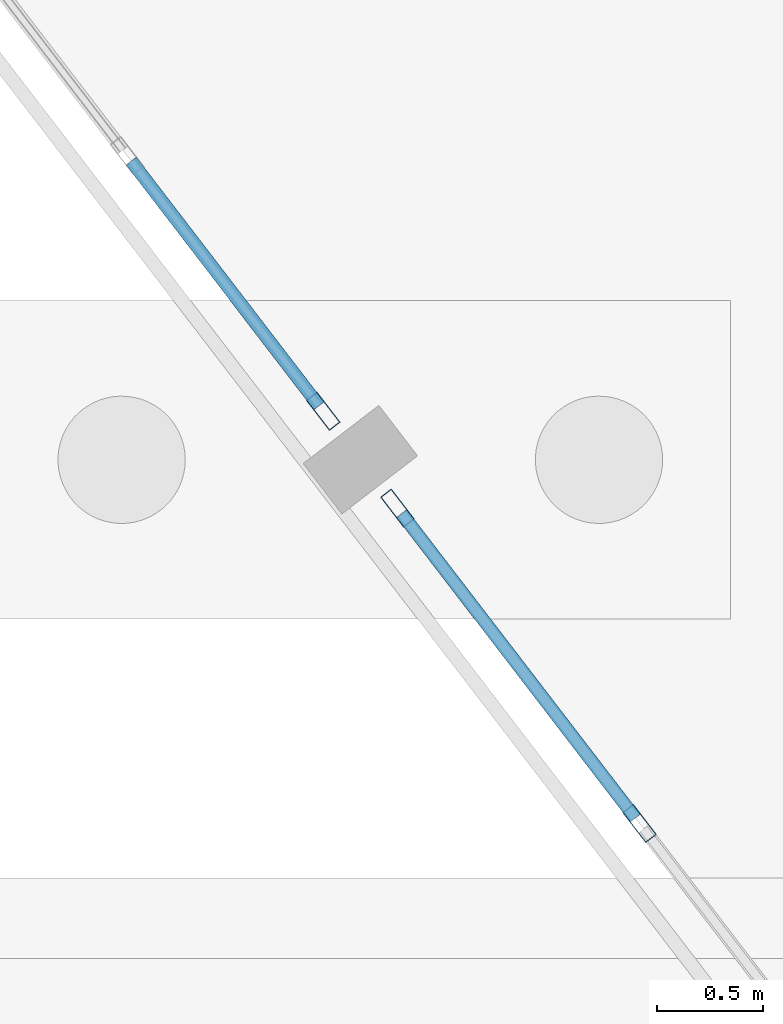
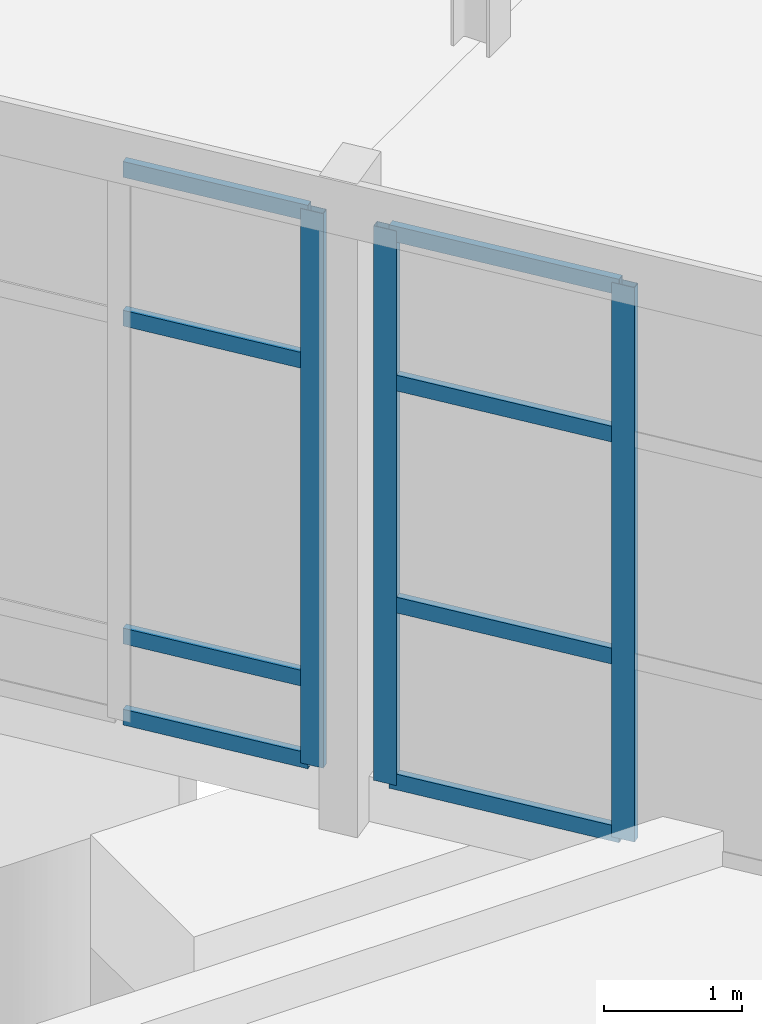
# One storey, part 37 of 137: 11 members, 2 elements without a shape of their own.
"""IFC4 building model written with IfcOpenShell, lengths in metres."""

from ifc_helpers import new_model, si_unit, direction, frame, origin, origin_2d, place, context, subcontext, project, spatial, hollow_rectangle, extrude, material, material_profile, profile_set, type_object, element, aggregate, save


model = new_model("IFC4")

# Units and contexts
model_context = context("Model", 3, precision=1e-05, world=origin(), true_north=direction((0.0, 1.0)))
body_context = subcontext(model_context, "Body", "Model", "MODEL_VIEW")
ifc_project = project(units=[si_unit("LENGTHUNIT", "METRE"), si_unit("AREAUNIT", "SQUARE_METRE"), si_unit("VOLUMEUNIT", "CUBIC_METRE"), si_unit("PLANEANGLEUNIT", "RADIAN"), si_unit("MASSUNIT", "GRAM", prefix="KILO")], contexts=[model_context])

# Site, building, storey
site_placement = place(None, origin())
site = spatial("IfcSite", under=ifc_project, at=site_placement, CompositionType="ELEMENT")
building_placement = place(site_placement, origin())
building = spatial("IfcBuilding", under=site, at=building_placement, Name="Vondelvale Polytechnic", CompositionType="ELEMENT")
storey_placement = place(building_placement, origin())
storey = spatial("IfcBuildingStorey", under=building, at=storey_placement, Name="L00", CompositionType="ELEMENT", Elevation=0.0)

# Curtain wall, member
ifc_material_1 = material(Name="Glulam GL18 structural Tasmanian oak (fb = 42 MPa)", Category="wood")
curtain_wall_type = type_object("IfcCurtainWallType", Name="CW-RING-OUTER", PredefinedType="NOTDEFINED", material=ifc_material_1)
curtain_wall_1_placement = place(storey_placement, origin())
curtain_wall_1 = element("IfcCurtainWall", 1, at=curtain_wall_1_placement, inside=storey, type_object=curtain_wall_type, Name="L00 architectural curtain wall CW-04-295", PredefinedType="NOTDEFINED")
ifc_material_2 = material(Name="Anodised extruded aluminium 6063-T6", Category="aluminium")
ifc_material_profile_1 = material_profile(ifc_material_2, hollow_rectangle(XDim=0.06494140625, YDim=0.179931640625, WallThickness=0.00390625, at=origin_2d()), Name="CW-MUL-180x65")
ifc_profile_set_1 = profile_set([ifc_material_profile_1], Name="Anodised extruded aluminium 6063-T6")
member_type_1 = type_object("IfcMemberType", Name="CW-MUL-65x180", PredefinedType="MULLION", material=ifc_profile_set_1)
member_1_placement = place(storey_placement, frame((64.3271484375, 46.179443359375, 0.0), z_axis=(0.0, 0.0, 1.0), x_axis=(0.793351666305, 0.608763610584, 0.0)))
member_1 = element("IfcMember", 2, at=member_1_placement, type_object=member_type_1, Name="CW-04-295 mullion 3", PredefinedType="MULLION", context=body_context, shape_type="SweptSolid", body=[
    extrude(hollow_rectangle(XDim=0.06494140625, YDim=0.179931640625, WallThickness=0.00390625, at=origin_2d()), origin(), (0.0, 0.0, 1.0), 4.919921875),
])

# Curtain wall, members
curtain_wall_2_placement = place(storey_placement, origin())
curtain_wall_2 = element("IfcCurtainWall", 3, at=curtain_wall_2_placement, inside=storey, type_object=curtain_wall_type, Name="L00 architectural curtain wall CW-04-296", PredefinedType="NOTDEFINED")
member_2_placement = place(storey_placement, frame((64.677001953125, 45.723388671875, 0.0), z_axis=(0.0, 0.0, 1.0), x_axis=(0.793345851043, 0.608771189063, 0.0)))
member_2 = element("IfcMember", 4, at=member_2_placement, type_object=member_type_1, Name="CW-04-296 mullion 1", PredefinedType="MULLION", context=body_context, shape_type="SweptSolid", body=[
    extrude(hollow_rectangle(XDim=0.06494140625, YDim=0.179931640625, WallThickness=0.00390625, at=origin_2d()), origin(), (0.0, 0.0, 1.0), 4.919921875),
])
member_3_placement = place(storey_placement, frame((65.81787109375, 44.236572265625, 0.0), z_axis=(0.0, 0.0, 1.0), x_axis=(0.793345851043, 0.608771189063, 0.0)))
member_3 = element("IfcMember", 5, at=member_3_placement, type_object=member_type_1, Name="CW-04-296 mullion 2", PredefinedType="MULLION", context=body_context, shape_type="SweptSolid", body=[
    extrude(hollow_rectangle(XDim=0.06494140625, YDim=0.179931640625, WallThickness=0.00390625, at=origin_2d()), origin(), (0.0, 0.0, 1.0), 4.919921875),
])

# Member
ifc_material_profile_2 = material_profile(ifc_material_2, hollow_rectangle(XDim=0.06005859375, YDim=0.139892578125, WallThickness=0.00341796875, at=origin_2d()), Name="CW-TRN-140x60")
ifc_profile_set_2 = profile_set([ifc_material_profile_2], Name="Anodised extruded aluminium 6063-T6")
member_type_2 = type_object("IfcMemberType", Name="CW-TRN-60x140", PredefinedType="USERDEFINED", material=ifc_profile_set_2)
member_4_placement = place(storey_placement, frame((63.421875, 47.359130859375, 0.030029296875), z_axis=(0.608826155387, -0.793303669799, 0.0), x_axis=(0.793303669799, 0.608826155387, 0.0)))
member_4 = element("IfcMember", 6, at=member_4_placement, type_object=member_type_2, Name="CW-04-295 transom 2.1", ObjectType="TRANSOM", PredefinedType="USERDEFINED", context=body_context, shape_type="SweptSolid", body=[
    extrude(hollow_rectangle(XDim=0.06005859375, YDim=0.139892578125, WallThickness=0.00341796875, at=origin_2d()), origin(), (0.0, 0.0, 1.0), 1.454345703125),
])

member_5_placement = place(storey_placement, frame((63.421875, 47.359130859375, 0.75), z_axis=(0.608826155387, -0.793303669799, 0.0), x_axis=(0.793303669799, 0.608826155387, 0.0)))
member_5 = element("IfcMember", 7, at=member_5_placement, type_object=member_type_2, Name="CW-04-295 transom 2.2", ObjectType="TRANSOM", PredefinedType="USERDEFINED", context=body_context, shape_type="SweptSolid", body=[
    extrude(hollow_rectangle(XDim=0.06005859375, YDim=0.139892578125, WallThickness=0.00341796875, at=origin_2d()), origin(), (0.0, 0.0, 1.0), 1.454345703125),
])

member_6_placement = place(storey_placement, frame((63.421875, 47.359130859375, 3.570068359375), z_axis=(0.608826155387, -0.793303669799, 0.0), x_axis=(0.793303669799, 0.608826155387, 0.0)))
member_6 = element("IfcMember", 8, at=member_6_placement, type_object=member_type_2, Name="CW-04-295 transom 2.3", ObjectType="TRANSOM", PredefinedType="USERDEFINED", context=body_context, shape_type="SweptSolid", body=[
    extrude(hollow_rectangle(XDim=0.06005859375, YDim=0.139892578125, WallThickness=0.00341796875, at=origin_2d()), origin(), (0.0, 0.0, 1.0), 1.454345703125),
])

member_7_placement = place(storey_placement, frame((63.421875, 47.359130859375, 4.889892578125), z_axis=(0.608826155387, -0.793303669799, 0.0), x_axis=(0.793303669799, 0.608826155387, 0.0)))
member_7 = element("IfcMember", 9, at=member_7_placement, type_object=member_type_2, Name="CW-04-295 transom 2.4", ObjectType="TRANSOM", PredefinedType="USERDEFINED", context=body_context, shape_type="SweptSolid", body=[
    extrude(hollow_rectangle(XDim=0.06005859375, YDim=0.139892578125, WallThickness=0.00341796875, at=origin_2d()), origin(), (0.0, 0.0, 1.0), 1.454345703125),
])

aggregate(curtain_wall_1, [member_1, member_4, member_5, member_6, member_7])

member_8_placement = place(storey_placement, frame((64.69677734375, 45.697509765625, 0.030029296875), z_axis=(0.608816809849, -0.793310842007, 0.0), x_axis=(0.793310842007, 0.608816809849, 0.0)))
member_8 = element("IfcMember", 10, at=member_8_placement, type_object=member_type_2, Name="CW-04-296 transom 1.1", ObjectType="TRANSOM", PredefinedType="USERDEFINED", context=body_context, shape_type="SweptSolid", body=[
    extrude(hollow_rectangle(XDim=0.06005859375, YDim=0.139892578125, WallThickness=0.00341796875, at=origin_2d()), origin(), (0.0, 0.0, 1.0), 1.808837890625),
])

member_9_placement = place(storey_placement, frame((64.69677734375, 45.697509765625, 1.60009765625), z_axis=(0.608816809849, -0.793310842007, 0.0), x_axis=(0.793310842007, 0.608816809849, 0.0)))
member_9 = element("IfcMember", 11, at=member_9_placement, type_object=member_type_2, Name="CW-04-296 transom 1.2", ObjectType="TRANSOM", PredefinedType="USERDEFINED", context=body_context, shape_type="SweptSolid", body=[
    extrude(hollow_rectangle(XDim=0.06005859375, YDim=0.139892578125, WallThickness=0.00341796875, at=origin_2d()), origin(), (0.0, 0.0, 1.0), 1.808837890625),
])

member_10_placement = place(storey_placement, frame((64.69677734375, 45.697509765625, 3.570068359375), z_axis=(0.608816809849, -0.793310842007, 0.0), x_axis=(0.793310842007, 0.608816809849, 0.0)))
member_10 = element("IfcMember", 12, at=member_10_placement, type_object=member_type_2, Name="CW-04-296 transom 1.3", ObjectType="TRANSOM", PredefinedType="USERDEFINED", context=body_context, shape_type="SweptSolid", body=[
    extrude(hollow_rectangle(XDim=0.06005859375, YDim=0.139892578125, WallThickness=0.00341796875, at=origin_2d()), origin(), (0.0, 0.0, 1.0), 1.808837890625),
])

member_11_placement = place(storey_placement, frame((64.69677734375, 45.697509765625, 4.889892578125), z_axis=(0.608816809849, -0.793310842007, 0.0), x_axis=(0.793310842007, 0.608816809849, 0.0)))
member_11 = element("IfcMember", 13, at=member_11_placement, type_object=member_type_2, Name="CW-04-296 transom 1.4", ObjectType="TRANSOM", PredefinedType="USERDEFINED", context=body_context, shape_type="SweptSolid", body=[
    extrude(hollow_rectangle(XDim=0.06005859375, YDim=0.139892578125, WallThickness=0.00341796875, at=origin_2d()), origin(), (0.0, 0.0, 1.0), 1.808837890625),
])

aggregate(curtain_wall_2, [member_2, member_3, member_8, member_9, member_10, member_11])

save(model, "model.ifc")
